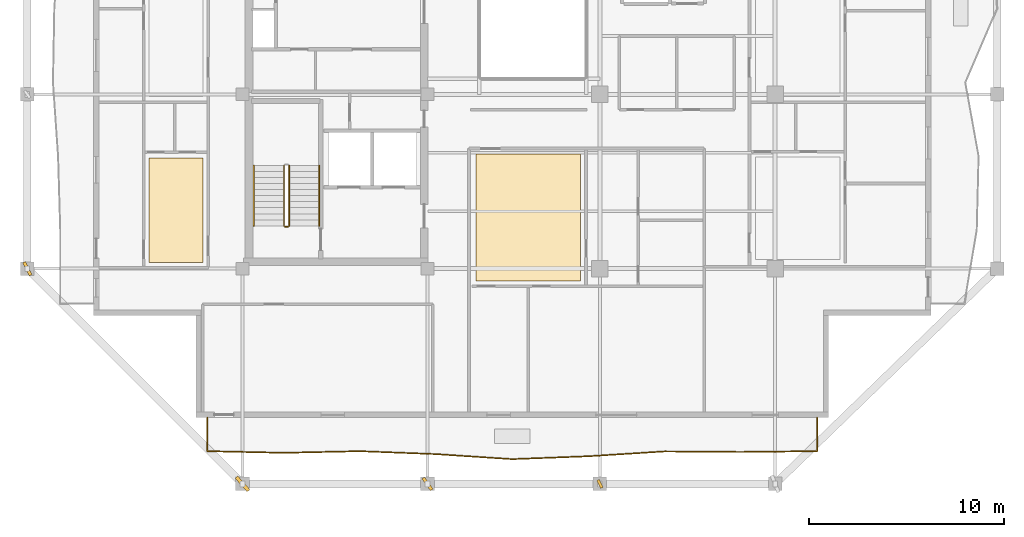
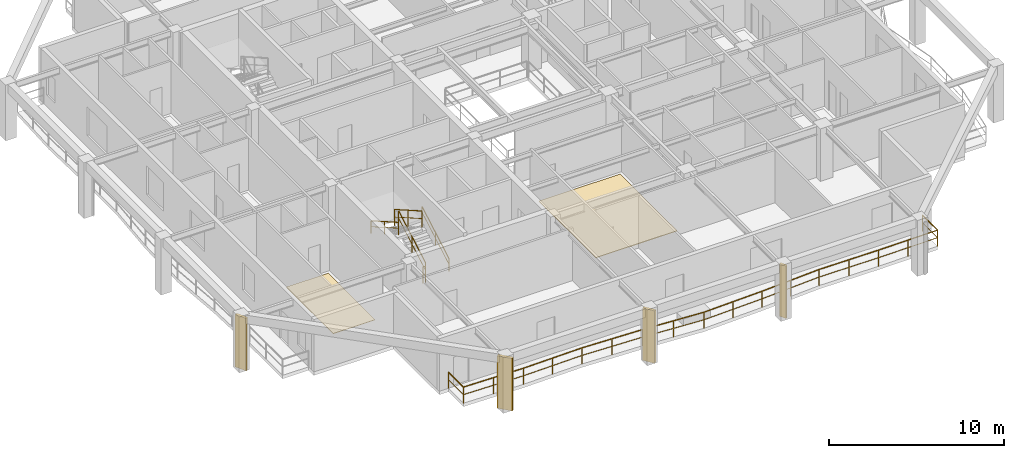
# One storey, part 8 of 13: 6 railings, 4 shading devices, 2 coverings.
"""IFC4 building model written with IfcOpenShell, lengths in metres."""

import ifcopenshell
import ifcopenshell.guid

model = None  # the IFC model being written
_history = None  # IfcOwnerHistory: only IFC2X3 demands one
_inside = {}  # id of a spatial element -> (the spatial element, [elements in it])
_under = {}  # id of a project, library or spatial element -> (it, [spatial elements below it])
_declared = {}  # id of a project -> (the project, [libraries it declares])
_typed = {}  # id of a type object -> (the type object, [elements of that type])
_made_of = {}  # id of a material, layer set ... -> (it, [elements and type objects made of it])


def new_model(schema):
    """Start an empty IFC model of exactly this schema.

    Asked for "IFC4X3", IfcOpenShell would pick the latest addendum, in which some entities
    have other attributes; the version numbers below select the first issue.
    IFC2X3 requires an IfcOwnerHistory on every rooted entity: one is made here for all.
    """
    global model, _history
    if schema == "IFC4X3":
        model = ifcopenshell.file(schema_version=(4, 3, 0, 0))
    else:
        model = ifcopenshell.file(schema=schema)
    _inside.clear()
    _under.clear()
    _declared.clear()
    _typed.clear()
    _made_of.clear()
    _history = None
    if model.schema == "IFC2X3":
        org = make("IfcOrganization", Name="unknown")
        user = make(
            "IfcPersonAndOrganization",
            ThePerson=make("IfcPerson", FamilyName="unknown"),
            TheOrganization=org,
        )
        app = make(
            "IfcApplication",
            ApplicationDeveloper=org,
            Version="unknown",
            ApplicationFullName="unknown",
            ApplicationIdentifier="unknown",
        )
        _history = make(
            "IfcOwnerHistory",
            OwningUser=user,
            OwningApplication=app,
            ChangeAction="ADDED",
            CreationDate=0,
        )
    return model


def make(cls, **values):
    """One entity of the class cls with the attributes given. An attribute that is None is left unset."""
    return model.create_entity(
        cls, **{name: value for name, value in values.items() if value is not None}
    )


def rooted(cls, **values):
    """An entity with a GlobalId (a new one), such as an element, a storey or a relation."""
    return make(cls, GlobalId=ifcopenshell.guid.new(), OwnerHistory=_history, **values)


def si_unit(unit_type, name, prefix=None):
    """IfcSIUnit, for example si_unit("LENGTHUNIT", "METRE", prefix="MILLI")."""
    return make("IfcSIUnit", UnitType=unit_type, Prefix=prefix, Name=name)


def assignment(units):
    """IfcUnitAssignment: the units of a project."""
    return None if units is None else make("IfcUnitAssignment", Units=units)


def point(xyz):
    """IfcCartesianPoint."""
    return None if xyz is None else make("IfcCartesianPoint", Coordinates=xyz)


def direction(xyz):
    """IfcDirection."""
    return None if xyz is None else make("IfcDirection", DirectionRatios=xyz)


def frame(location, z_axis=None, x_axis=None):
    """IfcAxis2Placement3D, a coordinate frame: its origin and axes. An axis left out is left unset."""
    return make(
        "IfcAxis2Placement3D",
        Location=point(location),
        Axis=direction(z_axis),
        RefDirection=direction(x_axis),
    )


def frame_2d(location, x_axis=None):
    """IfcAxis2Placement2D, a coordinate frame in the plane: its origin and x axis."""
    return make(
        "IfcAxis2Placement2D", Location=point(location), RefDirection=direction(x_axis)
    )


def origin():
    """The frame at (0, 0, 0) with its axes left unset."""
    return frame((0.0, 0.0, 0.0))


def origin_2d():
    """The frame at (0, 0) in the plane with its x axis left unset."""
    return frame_2d((0.0, 0.0))


def place(relative_to, where):
    """IfcLocalPlacement: puts the frame where relative to a parent placement (None: the world)."""
    return make(
        "IfcLocalPlacement", PlacementRelTo=relative_to, RelativePlacement=where
    )


def context(
    kind, dimensions, precision=None, world=None, true_north=None, identifier=None
):
    """IfcGeometricRepresentationContext, for example the 3D "Model" context."""
    return make(
        "IfcGeometricRepresentationContext",
        ContextIdentifier=identifier,
        ContextType=kind,
        CoordinateSpaceDimension=dimensions,
        Precision=precision,
        WorldCoordinateSystem=world,
        TrueNorth=true_north,
    )


def subcontext(parent, identifier, kind, view, scale=None):
    """IfcGeometricRepresentationSubContext, for example "Body" below "Model"."""
    return make(
        "IfcGeometricRepresentationSubContext",
        ContextIdentifier=identifier,
        ContextType=kind,
        ParentContext=parent,
        TargetScale=scale,
        TargetView=view,
    )


def project(units=None, contexts=None):
    """IfcProject with its units and contexts."""
    return rooted(
        "IfcProject",
        Name="project",
        RepresentationContexts=contexts,
        UnitsInContext=assignment(units),
    )


def spatial(cls, under=None, at=None, **own):
    """A site, building, storey or space (cls), placed at a placement, below another one or the project."""
    s = rooted(cls, ObjectPlacement=at, **own)
    if under is not None:
        _under.setdefault(under.id(), (under, []))[1].append(s)
    return s


def polyline(points):
    """IfcPolyline through the points."""
    return make("IfcPolyline", Points=[point(p) for p in points])


def profile(cls, at=None, kind="AREA", **sizes):
    """A parametric profile (cls). Its sizes go by their IFC names, for example OverallWidth=200.0."""
    return make(cls, ProfileType=kind, Position=at, **sizes)


def rectangle(**sizes):
    """IfcRectangleProfileDef."""
    return profile("IfcRectangleProfileDef", **sizes)


def outline(outer, holes=None, kind="AREA"):
    """IfcArbitraryClosedProfileDef: a profile drawn as a closed curve; with holes, ...WithVoids."""
    if holes is None:
        return make("IfcArbitraryClosedProfileDef", ProfileType=kind, OuterCurve=outer)
    return make(
        "IfcArbitraryProfileDefWithVoids",
        ProfileType=kind,
        OuterCurve=outer,
        InnerCurves=holes,
    )


def extrude(swept, where, along, depth):
    """IfcExtrudedAreaSolid: the profile swept, set in the frame where, extruded along a direction by depth."""
    return make(
        "IfcExtrudedAreaSolid",
        SweptArea=swept,
        Position=where,
        ExtrudedDirection=direction(along),
        Depth=depth,
    )


def shape(context_of_items, identifier, shape_type, items):
    """IfcShapeRepresentation: the items that make up one representation, for example the "Body"."""
    return make(
        "IfcShapeRepresentation",
        ContextOfItems=context_of_items,
        RepresentationIdentifier=identifier,
        RepresentationType=shape_type,
        Items=items,
    )


def material(Name=None, Category=None):
    """IfcMaterial."""
    return make("IfcMaterial", Name=Name, Category=Category)


def layer(
    of_material, thickness, ventilated=None, Name=None, Category=None, Priority=None
):
    """IfcMaterialLayer: one layer of a wall or slab, of a material (None: an air gap)."""
    return make(
        "IfcMaterialLayer",
        Material=of_material,
        LayerThickness=thickness,
        IsVentilated=ventilated,
        Name=Name,
        Category=Category,
        Priority=Priority,
    )


def layer_set(layers, Name=None):
    """IfcMaterialLayerSet."""
    return make("IfcMaterialLayerSet", MaterialLayers=layers, LayerSetName=Name)


def made_of(thing, what):
    """Note that an element or type object is made of a material, layer set ...; save() writes the relation."""
    if what is not None:
        _made_of.setdefault(what.id(), (what, []))[1].append(thing)
    return thing


def type_object(cls, material=None, **own):
    """A type object (cls), such as IfcWallType, which elements share."""
    return made_of(rooted(cls, **own), material)


def element(
    cls,
    number,
    at=None,
    inside=None,
    cuts=None,
    type_object=None,
    material=None,
    context=None,
    identifier="Body",
    shape_type=None,
    held_by="IfcProductDefinitionShape",
    body=None,
    shapes=None,
    **own,
):
    """One element of the class cls, such as IfcWall. Its Tag is "e" and its number.

    at: its placement. inside: the storey or other place that contains it. cuts: it is an
    opening in that element (IfcRelVoidsElement). A single representation is given by context,
    identifier, shape_type and body (its items); several are given by shapes. held_by: the class
    of the entity that holds the representations. save() writes the other relations.
    """
    e = rooted(cls, Tag="e%d" % number, ObjectPlacement=at, **own)
    if body is not None:
        shapes = [shape(context, identifier, shape_type, body)]
    if shapes is not None:
        e.Representation = make(held_by, Representations=shapes)
    if inside is not None:
        _inside.setdefault(inside.id(), (inside, []))[1].append(e)
    if cuts is not None:
        rooted(
            "IfcRelVoidsElement", RelatingBuildingElement=cuts, RelatedOpeningElement=e
        )
    if type_object is not None:
        _typed.setdefault(type_object.id(), (type_object, []))[1].append(e)
    return made_of(e, material)


def aggregate(whole, parts):
    """IfcRelAggregates: a whole, such as a stair, and the parts it consists of."""
    return rooted("IfcRelAggregates", RelatingObject=whole, RelatedObjects=parts)


def save(model, path):
    """Write the relations noted so far, then the file.

    IfcRelAggregates (storeys below a building ...), IfcRelContainedInSpatialStructure (elements
    in a storey), IfcRelDefinesByType, IfcRelAssociatesMaterial and IfcRelDeclares: one each for
    every whole, place, type object, material and project.
    """
    for whole, parts in _under.values():
        aggregate(whole, parts)
    for where, things in _inside.values():
        rooted(
            "IfcRelContainedInSpatialStructure",
            RelatedElements=things,
            RelatingStructure=where,
        )
    for kind, things in _typed.values():
        rooted("IfcRelDefinesByType", RelatedObjects=things, RelatingType=kind)
    for what, things in _made_of.values():
        rooted("IfcRelAssociatesMaterial", RelatedObjects=things, RelatingMaterial=what)
    for by, libraries in _declared.values():
        rooted("IfcRelDeclares", RelatingContext=by, RelatedDefinitions=libraries)
    model.write(path)


model = new_model("IFC4")

# Units and contexts
model_context = context("Model", 3, precision=1e-05, world=origin(), true_north=direction((0.0, 1.0)))
body_context = subcontext(model_context, "Body", "Model", "MODEL_VIEW")
ifc_project = project(units=[si_unit("LENGTHUNIT", "METRE"), si_unit("AREAUNIT", "SQUARE_METRE"), si_unit("VOLUMEUNIT", "CUBIC_METRE"), si_unit("PLANEANGLEUNIT", "RADIAN"), si_unit("MASSUNIT", "GRAM", prefix="KILO")], contexts=[model_context])

# Site, building, storey
site_placement = place(None, origin())
site = spatial("IfcSite", under=ifc_project, at=site_placement, CompositionType="ELEMENT")
building_placement = place(site_placement, origin())
building = spatial("IfcBuilding", under=site, at=building_placement, Name="Kundavana Baori Tower", CompositionType="ELEMENT")
storey_placement = place(building_placement, frame((0.0, 0.0, 229.699951171875)))
storey = spatial("IfcBuildingStorey", under=building, at=storey_placement, Name="L56", CompositionType="ELEMENT", Elevation=229.699951171875)

# Coverings
ifc_material_1 = material(Name="Honed Kota Stone and Terrazzo Flooring", Category="masonry")
ifc_layer_1 = layer(ifc_material_1, 0.0400390625, Name="COV-FLR-TERR-40")
ifc_layer_set_1 = layer_set([ifc_layer_1], Name="Honed Kota Stone and Terrazzo Flooring")
covering_type_1 = type_object("IfcCoveringType", Name="COV-FLR-TERR-40", PredefinedType="FLOORING", material=ifc_layer_set_1)
covering_1_placement = place(storey_placement, origin())
element("IfcCovering", 1, at=covering_1_placement, inside=storey, type_object=covering_type_1, Name="L56 Room Finished Stone Flooring 4", PredefinedType="FLOORING", context=body_context, shape_type="SweptSolid", body=[
    extrude(outline(polyline([(27.43994140625, 14.6201171875), (32.81005859375, 14.6201171875), (32.81005859375, 21.139892578125), (27.43994140625, 21.139892578125), (27.43994140625, 14.6201171875)])), origin(), (0.0, 0.0, 1.0), 0.0400390625),
])
ifc_material_2 = material(Name="Honed Kota Stone and Terrazzo Flooring", Category="masonry")
ifc_layer_2 = layer(ifc_material_2, 0.030029296875, Name="COV-INT-FLR")
ifc_layer_set_2 = layer_set([ifc_layer_2], Name="Honed Kota Stone and Terrazzo Flooring")
covering_type_2 = type_object("IfcCoveringType", Name="COV-INT-FLR", PredefinedType="FLOORING", material=ifc_layer_set_2)
covering_2_placement = place(storey_placement, origin())
element("IfcCovering", 2, at=covering_2_placement, inside=storey, type_object=covering_type_2, Name="L56 Room Finished Stone Flooring 1", PredefinedType="FLOORING", context=body_context, shape_type="SweptSolid", body=[
    extrude(outline(polyline([(10.64990234375, 15.580078125), (13.419921875, 15.580078125), (13.419921875, 20.93994140625), (10.64990234375, 20.93994140625), (10.64990234375, 15.580078125)])), origin(), (0.0, 0.0, 1.0), 0.030029296875),
])

# Railings
ifc_material_3 = material(Name="Architectural Patinated Bronze Metalwork")
railing_type_1 = type_object("IfcRailingType", Name="RL-BAL-1150", PredefinedType="BALUSTRADE", material=ifc_material_3)
railing_1_placement = place(storey_placement, frame((44.949951171875, 7.60009765625, 0.0)))
element("IfcRailing", 3, at=railing_1_placement, inside=storey, type_object=railing_type_1, Name="L56 Loggia Balcony Balustrade S", PredefinedType="BALUSTRADE", context=body_context, shape_type="SweptSolid", body=[
    extrude(rectangle(XDim=0.048095703125, YDim=0.048095703125, at=origin_2d()), frame((0.0, 0.0, 1.1259765625), z_axis=(0.0, -1.0, 0.0), x_axis=(1.0, 0.0, 0.0)), (0.0, 0.0, 1.0), 1.72021484375),
    extrude(rectangle(XDim=0.03125, YDim=0.03125, at=origin_2d()), frame((0.0, 0.0, 0.597900390625), z_axis=(0.0, -1.0, 0.0), x_axis=(1.0, 0.0, 0.0)), (0.0, 0.0, 1.0), 1.72021484375),
    extrude(rectangle(XDim=0.048095703125, YDim=0.048095703125, at=origin_2d()), frame((0.0, -1.72021484375, 1.1259765625), z_axis=(-0.999942389492, -0.010733950633, 0.0), x_axis=(0.010733950633, -0.999942389492, 0.0)), (0.0, 0.0, 1.0), 3.912109375),
    extrude(rectangle(XDim=0.03125, YDim=0.03125, at=origin_2d()), frame((0.0, -1.72021484375, 0.597900390625), z_axis=(-0.999942389492, -0.010733950633, 0.0), x_axis=(0.010733950633, -0.999942389492, 0.0)), (0.0, 0.0, 1.0), 3.912109375),
    extrude(rectangle(XDim=0.048095703125, YDim=0.048095703125, at=origin_2d()), frame((-3.911865234375, -1.76220703125, 1.1259765625), z_axis=(-0.999974261084, 0.007174759173, 0.0), x_axis=(-0.007174759173, -0.999974261084, 0.0)), (0.0, 0.0, 1.0), 3.9130859375),
    extrude(rectangle(XDim=0.03125, YDim=0.03125, at=origin_2d()), frame((-3.911865234375, -1.76220703125, 0.597900390625), z_axis=(-0.999974261084, 0.007174759173, 0.0), x_axis=(-0.007174759173, -0.999974261084, 0.0)), (0.0, 0.0, 1.0), 3.9130859375),
    extrude(rectangle(XDim=0.048095703125, YDim=0.048095703125, at=origin_2d()), frame((-7.824951171875, -1.734130859375, 1.1259765625), z_axis=(-0.997995950254, -0.063277826102, 0.0), x_axis=(0.063277826102, -0.997995950254, 0.0)), (0.0, 0.0, 1.0), 3.919921875),
    extrude(rectangle(XDim=0.03125, YDim=0.03125, at=origin_2d()), frame((-7.824951171875, -1.734130859375, 0.597900390625), z_axis=(-0.997995950254, -0.063277826102, 0.0), x_axis=(0.063277826102, -0.997995950254, 0.0)), (0.0, 0.0, 1.0), 3.919921875),
    extrude(rectangle(XDim=0.048095703125, YDim=0.048095703125, at=origin_2d()), frame((-11.737060546875, -1.982177734375, 1.1259765625), z_axis=(-0.999276474792, -0.038033234518, 0.0), x_axis=(0.038033234518, -0.999276474792, 0.0)), (0.0, 0.0, 1.0), 3.915771484375),
    extrude(rectangle(XDim=0.03125, YDim=0.03125, at=origin_2d()), frame((-11.737060546875, -1.982177734375, 0.597900390625), z_axis=(-0.999276474792, -0.038033234518, 0.0), x_axis=(0.038033234518, -0.999276474792, 0.0)), (0.0, 0.0, 1.0), 3.915771484375),
    extrude(rectangle(XDim=0.048095703125, YDim=0.048095703125, at=origin_2d()), frame((-15.64990234375, -2.131103515625, 1.1259765625), z_axis=(-0.997831478904, 0.065820511308, 0.0), x_axis=(-0.065820511308, -0.997831478904, 0.0)), (0.0, 0.0, 1.0), 3.920654296875),
    extrude(rectangle(XDim=0.03125, YDim=0.03125, at=origin_2d()), frame((-15.64990234375, -2.131103515625, 0.597900390625), z_axis=(-0.997831478904, 0.065820511308, 0.0), x_axis=(-0.065820511308, -0.997831478904, 0.0)), (0.0, 0.0, 1.0), 3.920654296875),
    extrude(rectangle(XDim=0.048095703125, YDim=0.048095703125, at=origin_2d()), frame((-19.56201171875, -1.873046875, 1.1259765625), z_axis=(-0.99925739391, 0.038531295279, 0.0), x_axis=(-0.038531295279, -0.99925739391, 0.0)), (0.0, 0.0, 1.0), 3.915771484375),
    extrude(rectangle(XDim=0.03125, YDim=0.03125, at=origin_2d()), frame((-19.56201171875, -1.873046875, 0.597900390625), z_axis=(-0.99925739391, 0.038531295279, 0.0), x_axis=(-0.038531295279, -0.99925739391, 0.0)), (0.0, 0.0, 1.0), 3.915771484375),
    extrude(rectangle(XDim=0.048095703125, YDim=0.048095703125, at=origin_2d()), frame((-23.474853515625, -1.72216796875, 1.1259765625), z_axis=(-0.999769761358, -0.021457499246, 0.0), x_axis=(0.021457499246, -0.999769761358, 0.0)), (0.0, 0.0, 1.0), 3.9140625),
    extrude(rectangle(XDim=0.03125, YDim=0.03125, at=origin_2d()), frame((-23.474853515625, -1.72216796875, 0.597900390625), z_axis=(-0.999769761358, -0.021457499246, 0.0), x_axis=(0.021457499246, -0.999769761358, 0.0)), (0.0, 0.0, 1.0), 3.9140625),
    extrude(rectangle(XDim=0.048095703125, YDim=0.048095703125, at=origin_2d()), frame((-27.387939453125, -1.80615234375, 1.1259765625), z_axis=(-0.999758811656, 0.02196175123, 0.0), x_axis=(-0.02196175123, -0.999758811656, 0.0)), (0.0, 0.0, 1.0), 3.9130859375),
    extrude(rectangle(XDim=0.03125, YDim=0.03125, at=origin_2d()), frame((-27.387939453125, -1.80615234375, 0.597900390625), z_axis=(-0.999758811656, 0.02196175123, 0.0), x_axis=(-0.02196175123, -0.999758811656, 0.0)), (0.0, 0.0, 1.0), 3.9130859375),
    extrude(rectangle(XDim=0.048095703125, YDim=0.048095703125, at=origin_2d()), frame((-31.300048828125, -1.72021484375, 1.1259765625), z_axis=(0.0, 1.0, 0.0), x_axis=(-1.0, 0.0, 0.0)), (0.0, 0.0, 1.0), 1.72021484375),
    extrude(rectangle(XDim=0.03125, YDim=0.03125, at=origin_2d()), frame((-31.300048828125, -1.72021484375, 0.597900390625), z_axis=(0.0, 1.0, 0.0), x_axis=(-1.0, 0.0, 0.0)), (0.0, 0.0, 1.0), 1.72021484375),
    extrude(rectangle(XDim=0.0419921875, YDim=0.0419921875, at=origin_2d()), origin(), (0.0, 0.0, 1.0), 1.101806640625),
    extrude(rectangle(XDim=0.0419921875, YDim=0.0419921875, at=origin_2d()), frame((0.0, -1.72021484375, 0.0)), (0.0, 0.0, 1.0), 1.101806640625),
    extrude(rectangle(XDim=0.0419921875, YDim=0.0419921875, at=origin_2d()), frame((-1.9560546875, -1.7412109375, 0.0)), (0.0, 0.0, 1.0), 1.101806640625),
    extrude(rectangle(XDim=0.0419921875, YDim=0.0419921875, at=origin_2d()), frame((-3.911865234375, -1.76220703125, 0.0)), (0.0, 0.0, 1.0), 1.101806640625),
    extrude(rectangle(XDim=0.0419921875, YDim=0.0419921875, at=origin_2d()), frame((-5.868408203125, -1.748046875, 0.0)), (0.0, 0.0, 1.0), 1.101806640625),
    extrude(rectangle(XDim=0.0419921875, YDim=0.0419921875, at=origin_2d()), frame((-7.824951171875, -1.734130859375, 0.0)), (0.0, 0.0, 1.0), 1.101806640625),
    extrude(rectangle(XDim=0.0419921875, YDim=0.0419921875, at=origin_2d()), frame((-9.781005859375, -1.858154296875, 0.0)), (0.0, 0.0, 1.0), 1.101806640625),
    extrude(rectangle(XDim=0.0419921875, YDim=0.0419921875, at=origin_2d()), frame((-11.737060546875, -1.982177734375, 0.0)), (0.0, 0.0, 1.0), 1.101806640625),
    extrude(rectangle(XDim=0.0419921875, YDim=0.0419921875, at=origin_2d()), frame((-13.693359375, -2.056640625, 0.0)), (0.0, 0.0, 1.0), 1.101806640625),
    extrude(rectangle(XDim=0.0419921875, YDim=0.0419921875, at=origin_2d()), frame((-15.64990234375, -2.131103515625, 0.0)), (0.0, 0.0, 1.0), 1.101806640625),
    extrude(rectangle(XDim=0.0419921875, YDim=0.0419921875, at=origin_2d()), frame((-17.60595703125, -2.001953125, 0.0)), (0.0, 0.0, 1.0), 1.101806640625),
    extrude(rectangle(XDim=0.0419921875, YDim=0.0419921875, at=origin_2d()), frame((-19.56201171875, -1.873046875, 0.0)), (0.0, 0.0, 1.0), 1.101806640625),
    extrude(rectangle(XDim=0.0419921875, YDim=0.0419921875, at=origin_2d()), frame((-21.5185546875, -1.797607421875, 0.0)), (0.0, 0.0, 1.0), 1.101806640625),
    extrude(rectangle(XDim=0.0419921875, YDim=0.0419921875, at=origin_2d()), frame((-23.474853515625, -1.72216796875, 0.0)), (0.0, 0.0, 1.0), 1.101806640625),
    extrude(rectangle(XDim=0.0419921875, YDim=0.0419921875, at=origin_2d()), frame((-25.431396484375, -1.76416015625, 0.0)), (0.0, 0.0, 1.0), 1.101806640625),
    extrude(rectangle(XDim=0.0419921875, YDim=0.0419921875, at=origin_2d()), frame((-27.387939453125, -1.80615234375, 0.0)), (0.0, 0.0, 1.0), 1.101806640625),
    extrude(rectangle(XDim=0.0419921875, YDim=0.0419921875, at=origin_2d()), frame((-29.343994140625, -1.76318359375, 0.0)), (0.0, 0.0, 1.0), 1.101806640625),
    extrude(rectangle(XDim=0.0419921875, YDim=0.0419921875, at=origin_2d()), frame((-31.300048828125, -1.72021484375, 0.0)), (0.0, 0.0, 1.0), 1.101806640625),
    extrude(rectangle(XDim=0.0419921875, YDim=0.0419921875, at=origin_2d()), frame((-31.300048828125, 0.0, 0.0)), (0.0, 0.0, 1.0), 1.101806640625),
])
ifc_material_4 = material(Name="Architectural Patinated Bronze Metalwork")
railing_type_2 = type_object("IfcRailingType", Name="RL-GRD-1150", PredefinedType="GUARDRAIL", material=ifc_material_4)
railing_2_placement = place(storey_placement, frame((17.840087890625, 17.449951171875, 0.17724609375)))
element("IfcRailing", 4, at=railing_2_placement, inside=storey, type_object=railing_type_2, Name="L56 ST1 stair guard 1", PredefinedType="GUARDRAIL", context=body_context, shape_type="SweptSolid", body=[
    extrude(rectangle(XDim=0.048095703125, YDim=0.048095703125, at=origin_2d()), frame((0.0, 0.0, 1.1259765625), z_axis=(0.0, 0.868095856688, 0.496396599103), x_axis=(-1.0, 0.0, 0.0)), (0.0, 0.0, 1.0), 3.571044921875),
    extrude(rectangle(XDim=0.03125, YDim=0.03125, at=origin_2d()), frame((0.0, 0.0, 0.597900390625), z_axis=(0.0, 0.868095856688, 0.496396599103), x_axis=(-1.0, 0.0, 0.0)), (0.0, 0.0, 1.0), 3.571044921875),
    extrude(rectangle(XDim=0.0419921875, YDim=0.0419921875, at=origin_2d()), origin(), (0.0, 0.0, 1.0), 1.101806640625),
    extrude(rectangle(XDim=0.0419921875, YDim=0.0419921875, at=origin_2d()), frame((0.0, 1.550048828125, 0.88623046875)), (0.0, 0.0, 1.0), 1.101806640625),
    extrude(rectangle(XDim=0.0419921875, YDim=0.0419921875, at=origin_2d()), frame((0.0, 3.10009765625, 1.772705078125)), (0.0, 0.0, 1.0), 1.101806640625),
])
railing_3_placement = place(storey_placement, frame((17.580078125, 20.550048828125, 2.12744140625)))
element("IfcRailing", 5, at=railing_3_placement, inside=storey, type_object=railing_type_2, Name="L56 ST1 stair guard 3", PredefinedType="GUARDRAIL", context=body_context, shape_type="SweptSolid", body=[
    extrude(rectangle(XDim=0.048095703125, YDim=0.048095703125, at=origin_2d()), frame((0.0, 0.0, 1.1259765625), z_axis=(0.0, -0.868095856688, 0.496396599103), x_axis=(1.0, 0.0, 0.0)), (0.0, 0.0, 1.0), 3.571044921875),
    extrude(rectangle(XDim=0.03125, YDim=0.03125, at=origin_2d()), frame((0.0, 0.0, 0.597900390625), z_axis=(0.0, -0.868095856688, 0.496396599103), x_axis=(1.0, 0.0, 0.0)), (0.0, 0.0, 1.0), 3.571044921875),
    extrude(rectangle(XDim=0.0419921875, YDim=0.0419921875, at=origin_2d()), origin(), (0.0, 0.0, 1.0), 1.101806640625),
    extrude(rectangle(XDim=0.0419921875, YDim=0.0419921875, at=origin_2d()), frame((0.0, -1.550048828125, 0.88623046875)), (0.0, 0.0, 1.0), 1.101806640625),
    extrude(rectangle(XDim=0.0419921875, YDim=0.0419921875, at=origin_2d()), frame((0.0, -3.10009765625, 1.772705078125)), (0.0, 0.0, 1.0), 1.101806640625),
])
railing_4_placement = place(storey_placement, frame((17.7900390625, 17.39990234375, 0.0)))
element("IfcRailing", 6, at=railing_4_placement, inside=storey, type_object=railing_type_2, Name="L56 ST1 stair guard 4", PredefinedType="GUARDRAIL", context=body_context, shape_type="SweptSolid", body=[
    extrude(rectangle(XDim=0.048095703125, YDim=0.048095703125, at=origin_2d()), frame((0.0, 0.0, 1.1259765625), z_axis=(-1.0, 0.0, 0.0), x_axis=(0.0, -1.0, 0.0)), (0.0, 0.0, 1.0), 0.16015625),
    extrude(rectangle(XDim=0.03125, YDim=0.03125, at=origin_2d()), frame((0.0, 0.0, 0.597900390625), z_axis=(-1.0, 0.0, 0.0), x_axis=(0.0, -1.0, 0.0)), (0.0, 0.0, 1.0), 0.16015625),
    extrude(rectangle(XDim=0.0419921875, YDim=0.0419921875, at=origin_2d()), origin(), (0.0, 0.0, 1.0), 1.101806640625),
    extrude(rectangle(XDim=0.0419921875, YDim=0.0419921875, at=origin_2d()), frame((-0.16015625, 0.0, 0.0)), (0.0, 0.0, 1.0), 1.101806640625),
])
ifc_material_5 = material(Name="Architectural Patinated Bronze Metalwork")
railing_type_3 = type_object("IfcRailingType", Name="RL-HND-920", PredefinedType="HANDRAIL", material=ifc_material_5)
railing_5_placement = place(storey_placement, frame((19.389892578125, 17.449951171875, 0.17724609375)))
element("IfcRailing", 7, at=railing_5_placement, inside=storey, type_object=railing_type_3, Name="L56 ST1 stair handrail 1", PredefinedType="HANDRAIL", context=body_context, shape_type="SweptSolid", body=[
    extrude(rectangle(XDim=0.048095703125, YDim=0.048095703125, at=origin_2d()), frame((0.0, 0.0, 0.8759765625), z_axis=(0.0, 0.868095856688, 0.496396599103), x_axis=(-1.0, 0.0, 0.0)), (0.0, 0.0, 1.0), 3.571044921875),
    extrude(rectangle(XDim=0.03125, YDim=0.03125, at=origin_2d()), frame((0.0, 0.0, 0.468017578125), z_axis=(0.0, 0.868095856688, 0.496396599103), x_axis=(-1.0, 0.0, 0.0)), (0.0, 0.0, 1.0), 3.571044921875),
    extrude(rectangle(XDim=0.0419921875, YDim=0.0419921875, at=origin_2d()), origin(), (0.0, 0.0, 1.0), 0.851806640625),
    extrude(rectangle(XDim=0.0419921875, YDim=0.0419921875, at=origin_2d()), frame((0.0, 1.550048828125, 0.88623046875)), (0.0, 0.0, 1.0), 0.851806640625),
    extrude(rectangle(XDim=0.0419921875, YDim=0.0419921875, at=origin_2d()), frame((0.0, 3.10009765625, 1.772705078125)), (0.0, 0.0, 1.0), 0.851806640625),
])
railing_6_placement = place(storey_placement, frame((16.030029296875, 20.550048828125, 2.12744140625)))
element("IfcRailing", 8, at=railing_6_placement, inside=storey, type_object=railing_type_3, Name="L56 ST1 stair handrail 2", PredefinedType="HANDRAIL", context=body_context, shape_type="SweptSolid", body=[
    extrude(rectangle(XDim=0.048095703125, YDim=0.048095703125, at=origin_2d()), frame((0.0, 0.0, 0.8759765625), z_axis=(0.0, -0.868095856688, 0.496396599103), x_axis=(1.0, 0.0, 0.0)), (0.0, 0.0, 1.0), 3.571044921875),
    extrude(rectangle(XDim=0.03125, YDim=0.03125, at=origin_2d()), frame((0.0, 0.0, 0.468017578125), z_axis=(0.0, -0.868095856688, 0.496396599103), x_axis=(1.0, 0.0, 0.0)), (0.0, 0.0, 1.0), 3.571044921875),
    extrude(rectangle(XDim=0.0419921875, YDim=0.0419921875, at=origin_2d()), origin(), (0.0, 0.0, 1.0), 0.851806640625),
    extrude(rectangle(XDim=0.0419921875, YDim=0.0419921875, at=origin_2d()), frame((0.0, -1.550048828125, 0.88623046875)), (0.0, 0.0, 1.0), 0.851806640625),
    extrude(rectangle(XDim=0.0419921875, YDim=0.0419921875, at=origin_2d()), frame((0.0, -3.10009765625, 1.772705078125)), (0.0, 0.0, 1.0), 0.851806640625),
])

# Shading devices
ifc_material_6 = material(Name="Red-Buff Dholpur Sandstone Cladding on Concrete C40/50", Category="masonry")
shading_device_type_1 = type_object("IfcShadingDeviceType", Name="SHD-FIN-750", PredefinedType="JALOUSIE", material=ifc_material_6)
for number, where, z_axis, x_axis, name in (
    (9, (24.949951171875, 4.199951171875, 0.0), (0.0, 0.0, 1.0), (0.810961712263, 0.585099223418, 0.0), "L56 Sweeping Dholpur Sandstone Facade Fin 2"),
    (10, (4.39990234375, 15.25, 0.0), (0.0, 0.0, 1.0), (0.89163954577, 0.452745977805, 0.0), "L56 Sweeping Dholpur Sandstone Facade Fin 5"),
):
    element("IfcShadingDevice", number, at=place(storey_placement, frame(where, z_axis=z_axis, x_axis=x_axis)), inside=storey, type_object=shading_device_type_1, Name=name, PredefinedType="JALOUSIE", context=body_context, shape_type="SweptSolid", body=[
        extrude(rectangle(XDim=0.159912109375, YDim=0.75, at=origin_2d()), origin(), (0.0, 0.0, 1.0), 3.659912109375),
    ])
ifc_material_7 = material(Name="Red-Buff Dholpur Sandstone Cladding on Concrete C40/50", Category="masonry")
shading_device_type_2 = type_object("IfcShadingDeviceType", Name="SHD-FIN-920", PredefinedType="JALOUSIE", material=ifc_material_7)
shading_device_1_placement = place(storey_placement, frame((15.449951171875, 4.199951171875, 0.0), z_axis=(0.0, 0.0, 1.0), x_axis=(0.745010490606, 0.667052748205, 0.0)))
element("IfcShadingDevice", 11, at=shading_device_1_placement, inside=storey, type_object=shading_device_type_2, Name="L56 Sweeping Dholpur Sandstone Facade Fin 1", PredefinedType="JALOUSIE", context=body_context, shape_type="SweptSolid", body=[
    extrude(rectangle(XDim=0.179931640625, YDim=0.919921875, at=origin_2d()), origin(), (0.0, 0.0, 1.0), 3.659912109375),
])
ifc_material_8 = material(Name="Architectural Patinated Bronze Metalwork")
shading_device_type_3 = type_object("IfcShadingDeviceType", Name="SHD-LOUV-450", PredefinedType="SHUTTER", material=ifc_material_8)
shading_device_2_placement = place(storey_placement, frame((33.800048828125, 4.199951171875, 0.0), z_axis=(0.0, 0.0, 1.0), x_axis=(0.896641036785, 0.442758231039, 0.0)))
element("IfcShadingDevice", 12, at=shading_device_2_placement, inside=storey, type_object=shading_device_type_3, Name="L56 Sweeping Dholpur Sandstone Facade Fin 3", PredefinedType="SHUTTER", context=body_context, shape_type="SweptSolid", body=[
    extrude(rectangle(XDim=0.139892578125, YDim=0.449951171875, at=origin_2d()), origin(), (0.0, 0.0, 1.0), 3.659912109375),
])

save(model, "model.ifc")
